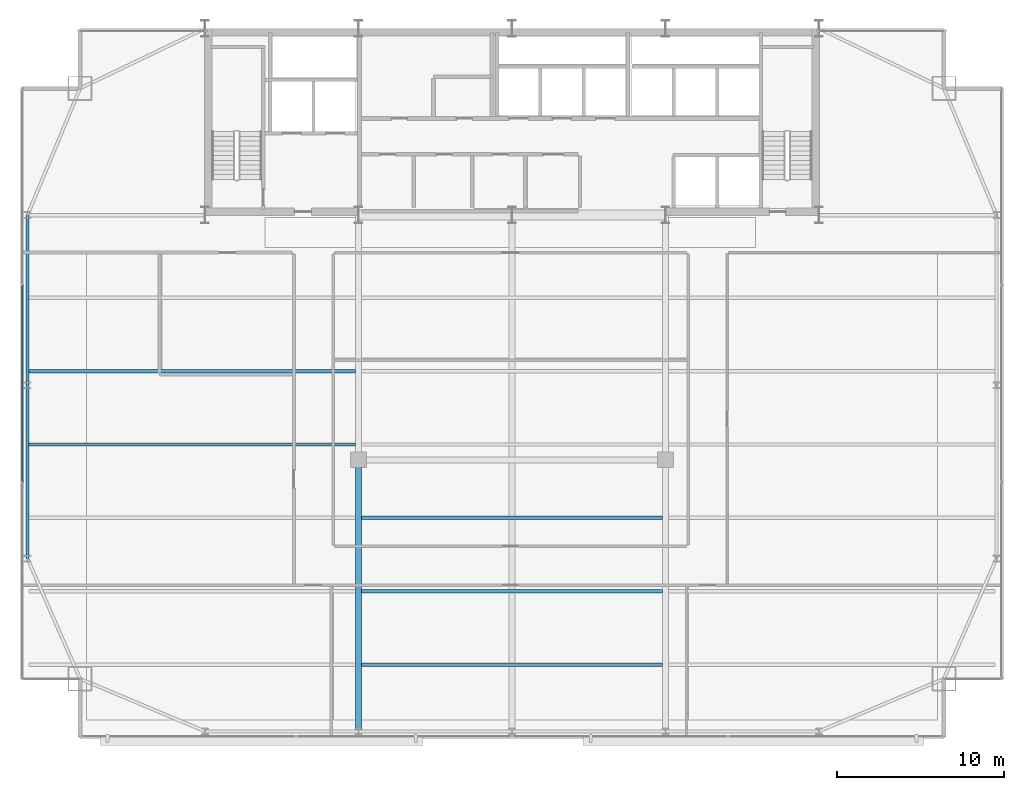
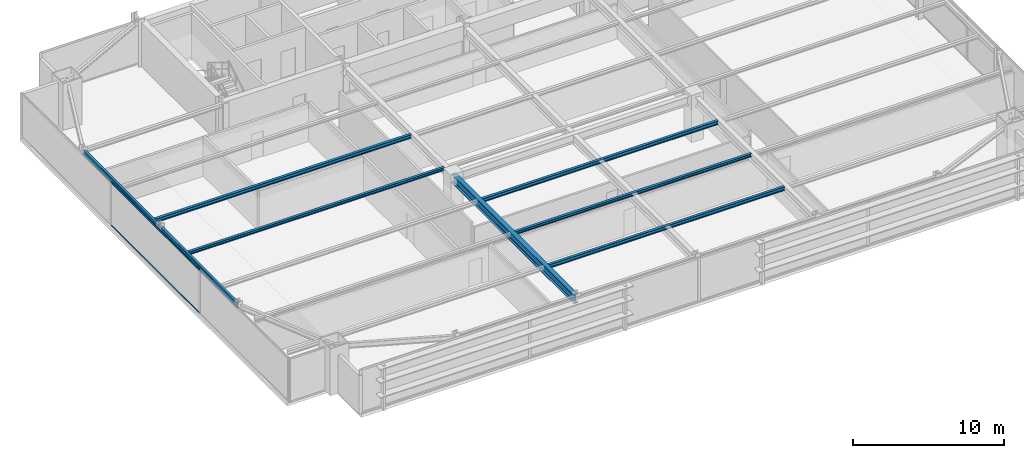
# One storey, part 9 of 30: 8 beams, 2 members, 1 element without a shape of its own.
"""IFC4 building model written with IfcOpenShell, lengths in metres."""

from ifc_helpers import new_model, si_unit, direction, frame, origin, origin_2d, place, context, subcontext, project, spatial, hollow_rectangle, i_section, extrude, source, transform, mapped, material, layer, layer_set, material_profile, profile_set, type_object, type_shapes, element, aggregate, save


model = new_model("IFC4")

# Units and contexts
model_context = context("Model", 3, precision=1e-05, world=origin(), true_north=direction((0.0, 1.0)))
body_context = subcontext(model_context, "Body", "Model", "MODEL_VIEW")
ifc_project = project(units=[si_unit("LENGTHUNIT", "METRE"), si_unit("AREAUNIT", "SQUARE_METRE"), si_unit("VOLUMEUNIT", "CUBIC_METRE"), si_unit("PLANEANGLEUNIT", "RADIAN"), si_unit("MASSUNIT", "GRAM", prefix="KILO")], contexts=[model_context])

# Site, building, storey
site_placement = place(None, origin())
site = spatial("IfcSite", under=ifc_project, at=site_placement, CompositionType="ELEMENT")
building_placement = place(site_placement, origin())
building = spatial("IfcBuilding", under=site, at=building_placement, Name="Varnel Quay Broadcast Tower", CompositionType="ELEMENT")
storey_placement = place(building_placement, frame((0.0, 0.0, 122.0)))
storey = spatial("IfcBuildingStorey", under=building, at=storey_placement, Name="L29", CompositionType="ELEMENT", Elevation=122.0)

# Beams
ifc_material_1 = material(Name="Structural Steel CSA G40.21 350W", Category="steel")
ifc_material_profile_1 = material_profile(ifc_material_1, i_section(OverallWidth=0.180908203125, OverallDepth=0.4169921875, WebThickness=0.010986328125, FlangeThickness=0.018310546875, FilletRadius=0.011962890625, at=origin_2d()), Name="W410X85")
ifc_profile_set_1 = profile_set([ifc_material_profile_1], Name="Structural Steel CSA G40.21 350W")
beam_type_1 = type_object("IfcBeamType", Name="Beam_W410X85", PredefinedType="SPANDREL", material=ifc_profile_set_1)
shared_shape_1 = source(origin(), body_context, "Body", "SweptSolid", [
    extrude(i_section(OverallWidth=0.180908203125, OverallDepth=0.4169921875, WebThickness=0.010986328125, FlangeThickness=0.018310546875, FilletRadius=0.011962890625, at=origin_2d()), origin(), (0.0, 0.0, 1.0), 10.35986328125),
])
beam_1_placement = place(storey_placement, frame((4.949951171875, 15.02001953125, 3.341552734375), z_axis=(0.0, 1.0, 0.0), x_axis=(-1.0, 0.0, 0.0)))
element("IfcBeam", 1, at=beam_1_placement, inside=storey, type_object=beam_type_1, Name="L29 West Spandrel TC-W1-TC-W2", PredefinedType="SPANDREL", context=body_context, shape_type="MappedRepresentation", body=[
    mapped(shared_shape_1, transform((0.0, 0.0, 0.0), x_axis=(1.0, 0.0, 0.0), y_axis=(0.0, 1.0, 0.0), z_axis=(0.0, 0.0, 1.0), scale=1.0)),
])
shared_shape_2 = source(origin(), body_context, "Body", "SweptSolid", [
    extrude(i_section(OverallWidth=0.180908203125, OverallDepth=0.4169921875, WebThickness=0.010986328125, FlangeThickness=0.018310546875, FilletRadius=0.011962890625, at=origin_2d()), origin(), (0.0, 0.0, 1.0), 10.16015625),
])
type_shapes(beam_type_1, [shared_shape_1, shared_shape_2])
beam_2_placement = place(storey_placement, frame((4.949951171875, 25.419921875, 3.341552734375), z_axis=(0.0, 1.0, 0.0), x_axis=(-1.0, 0.0, 0.0)))
element("IfcBeam", 2, at=beam_2_placement, inside=storey, type_object=beam_type_1, Name="L29 West Spandrel TC-W2-TC-W3", PredefinedType="SPANDREL", context=body_context, shape_type="MappedRepresentation", body=[
    mapped(shared_shape_2, transform((0.0, 0.0, 0.0), x_axis=(1.0, 0.0, 0.0), y_axis=(0.0, 1.0, 0.0), z_axis=(0.0, 0.0, 1.0), scale=1.0)),
])
ifc_material_profile_2 = material_profile(ifc_material_1, i_section(OverallWidth=0.35498046875, OverallDepth=0.695068359375, WebThickness=0.015380859375, FlangeThickness=0.02490234375, FilletRadius=0.01806640625, at=origin_2d()), Name="W690X217")
ifc_profile_set_2 = profile_set([ifc_material_profile_2], Name="Structural Steel CSA G40.21 350W")
beam_type_2 = type_object("IfcBeamType", Name="Girder_W690X217", PredefinedType="BEAM", material=ifc_profile_set_2)
shared_shape_3 = source(origin(), body_context, "Body", "SweptSolid", [
    extrude(i_section(OverallWidth=0.35498046875, OverallDepth=0.695068359375, WebThickness=0.015380859375, FlangeThickness=0.02490234375, FilletRadius=0.01806640625, at=origin_2d()), origin(), (0.0, 0.0, 1.0), 16.239990234375),
])
type_shapes(beam_type_2, [shared_shape_3])
beam_3_placement = place(storey_placement, frame((24.800048828125, 4.669921875, 3.202392578125), z_axis=(0.0, 1.0, 0.0), x_axis=(-1.0, 0.0, 0.0)))
element("IfcBeam", 3, at=beam_3_placement, inside=storey, type_object=beam_type_2, Name="L29 Primary Girder TC-S2-IC-01", PredefinedType="BEAM", context=body_context, shape_type="MappedRepresentation", body=[
    mapped(shared_shape_3, transform((0.0, 0.0, 0.0), x_axis=(1.0, 0.0, 0.0), y_axis=(0.0, 1.0, 0.0), z_axis=(0.0, 0.0, 1.0), scale=1.0)),
])
ifc_material_profile_3 = material_profile(ifc_material_1, i_section(OverallWidth=0.202880859375, OverallDepth=0.302978515625, WebThickness=0.007568359375, FlangeThickness=0.01318359375, FilletRadius=0.011962890625, at=origin_2d()), Name="W310X60")
ifc_profile_set_3 = profile_set([ifc_material_profile_3], Name="Structural Steel CSA G40.21 350W")
beam_type_3 = type_object("IfcBeamType", Name="Beam_W310X60", PredefinedType="JOIST", material=ifc_profile_set_3)
shared_shape_4 = source(origin(), body_context, "Body", "SweptSolid", [
    extrude(i_section(OverallWidth=0.202880859375, OverallDepth=0.302978515625, WebThickness=0.007568359375, FlangeThickness=0.01318359375, FilletRadius=0.011962890625, at=origin_2d()), origin(), (0.0, 0.0, 1.0), 19.592041015625),
])
beam_4_placement = place(storey_placement, frame((5.035400390625, 26.25, 3.3984375), z_axis=(1.0, 0.0, 0.0), x_axis=(0.0, 1.0, 0.0)))
element("IfcBeam", 4, at=beam_4_placement, inside=storey, type_object=beam_type_3, Name="L29 West Floor Joist 5", PredefinedType="JOIST", context=body_context, shape_type="MappedRepresentation", body=[
    mapped(shared_shape_4, transform((0.0, 0.0, 0.0), x_axis=(1.0, 0.0, 0.0), y_axis=(0.0, 1.0, 0.0), z_axis=(0.0, 0.0, 1.0), scale=1.0)),
])
shared_shape_5 = source(origin(), body_context, "Body", "SweptSolid", [
    extrude(i_section(OverallWidth=0.202880859375, OverallDepth=0.302978515625, WebThickness=0.007568359375, FlangeThickness=0.01318359375, FilletRadius=0.011962890625, at=origin_2d()), origin(), (0.0, 0.0, 1.0), 18.05517578125),
])
type_shapes(beam_type_3, [shared_shape_4, shared_shape_5])
for number, where, z_axis, x_axis, name in (
    (5, (24.972412109375, 8.64990234375, 3.3984375), (1.0, 0.0, 0.0), (0.0, 1.0, 0.0), "L29 Central Floor Joist 1"),
    (6, (24.972412109375, 17.449951171875, 3.3984375), (1.0, 0.0, 0.0), (0.0, 1.0, 0.0), "L29 Central Floor Joist 3"),
):
    element("IfcBeam", number, at=place(storey_placement, frame(where, z_axis=z_axis, x_axis=x_axis)), inside=storey, type_object=beam_type_3, Name=name, PredefinedType="JOIST", context=body_context, shape_type="MappedRepresentation", body=[
        mapped(shared_shape_5, transform((0.0, 0.0, 0.0), x_axis=(1.0, 0.0, 0.0), y_axis=(0.0, 1.0, 0.0), z_axis=(0.0, 0.0, 1.0), scale=1.0)),
    ])
ifc_material_profile_4 = material_profile(ifc_material_1, i_section(OverallWidth=0.201904296875, OverallDepth=0.2470703125, WebThickness=0.00732421875, FlangeThickness=0.010986328125, FilletRadius=0.010986328125, at=origin_2d()), Name="W250X49")
ifc_profile_set_4 = profile_set([ifc_material_profile_4], Name="Structural Steel CSA G40.21 350W")
beam_type_4 = type_object("IfcBeamType", Name="Beam_W250X49", PredefinedType="JOIST", material=ifc_profile_set_4)
shared_shape_6 = source(origin(), body_context, "Body", "SweptSolid", [
    extrude(i_section(OverallWidth=0.201904296875, OverallDepth=0.2470703125, WebThickness=0.00732421875, FlangeThickness=0.010986328125, FilletRadius=0.010986328125, at=origin_2d()), origin(), (0.0, 0.0, 1.0), 19.592041015625),
])
beam_5_placement = place(storey_placement, frame((5.035400390625, 21.85009765625, 3.426513671875), z_axis=(1.0, 0.0, 0.0), x_axis=(0.0, 1.0, 0.0)))
element("IfcBeam", 7, at=beam_5_placement, inside=storey, type_object=beam_type_4, Name="L29 West Floor Joist 4", PredefinedType="JOIST", context=body_context, shape_type="MappedRepresentation", body=[
    mapped(shared_shape_6, transform((0.0, 0.0, 0.0), x_axis=(1.0, 0.0, 0.0), y_axis=(0.0, 1.0, 0.0), z_axis=(0.0, 0.0, 1.0), scale=1.0)),
])
shared_shape_7 = source(origin(), body_context, "Body", "SweptSolid", [
    extrude(i_section(OverallWidth=0.201904296875, OverallDepth=0.2470703125, WebThickness=0.00732421875, FlangeThickness=0.010986328125, FilletRadius=0.010986328125, at=origin_2d()), origin(), (0.0, 0.0, 1.0), 18.05517578125),
])
type_shapes(beam_type_4, [shared_shape_6, shared_shape_7])
beam_6_placement = place(storey_placement, frame((24.972412109375, 13.050048828125, 3.426513671875), z_axis=(1.0, 0.0, 0.0), x_axis=(0.0, 1.0, 0.0)))
element("IfcBeam", 8, at=beam_6_placement, inside=storey, type_object=beam_type_4, Name="L29 Central Floor Joist 2", PredefinedType="JOIST", context=body_context, shape_type="MappedRepresentation", body=[
    mapped(shared_shape_7, transform((0.0, 0.0, 0.0), x_axis=(1.0, 0.0, 0.0), y_axis=(0.0, 1.0, 0.0), z_axis=(0.0, 0.0, 1.0), scale=1.0)),
])

# Curtain wall, members
ifc_material_2 = material(Name="Anodised Bronze Aluminium 6063-T6", Category="aluminium")
ifc_layer = layer(ifc_material_2, 0.18994140625, Name="Anodised Bronze Aluminium 6063-T6")
ifc_layer_set = layer_set([ifc_layer], Name="Anodised Bronze Aluminium 6063-T6")
curtain_wall_type = type_object("IfcCurtainWallType", Name="CW_LowerTower", PredefinedType="NOTDEFINED", material=ifc_layer_set)
curtain_wall_placement = place(storey_placement, origin())
curtain_wall = element("IfcCurtainWall", 9, at=curtain_wall_placement, inside=storey, type_object=curtain_wall_type, Name="L29 West Unitised Curtain Wall", PredefinedType="NOTDEFINED")
ifc_material_profile_5 = material_profile(ifc_material_2, hollow_rectangle(XDim=0.06005859375, YDim=0.14501953125, WallThickness=0.00341796875, at=origin_2d()), Name="ALU60X145X3.5")
ifc_profile_set_5 = profile_set([ifc_material_profile_5], Name="Anodised Bronze Aluminium 6063-T6")
member_type = type_object("IfcMemberType", Name="Tran_CWS-02", PredefinedType="USERDEFINED", material=ifc_profile_set_5)
shared_shape_8 = source(origin(), body_context, "Body", "SweptSolid", [
    extrude(hollow_rectangle(XDim=0.06005859375, YDim=0.14501953125, WallThickness=0.00341796875, at=origin_2d()), origin(), (0.0, 0.0, 1.0), 11.72998046875),
])
type_shapes(member_type, [shared_shape_8])
member_1_placement = place(storey_placement, frame((4.64990234375, 19.635009765625, 0.030029296875), z_axis=(0.0, 1.0, 0.0), x_axis=(-1.0, 0.0, 0.0)))
member_1 = element("IfcMember", 10, at=member_1_placement, type_object=member_type, Name="CWS-02 transom 2.1", ObjectType="TRANSOM", PredefinedType="USERDEFINED", context=body_context, shape_type="MappedRepresentation", body=[
    mapped(shared_shape_8, transform((0.0, 0.0, 0.0), x_axis=(1.0, 0.0, 0.0), y_axis=(0.0, 1.0, 0.0), z_axis=(0.0, 0.0, 1.0), scale=1.0)),
])
member_2_placement = place(storey_placement, frame((4.64990234375, 19.635009765625, 3.52001953125), z_axis=(0.0, 1.0, 0.0), x_axis=(-1.0, 0.0, 0.0)))
member_2 = element("IfcMember", 11, at=member_2_placement, type_object=member_type, Name="CWS-02 transom 2.2", ObjectType="TRANSOM", PredefinedType="USERDEFINED", context=body_context, shape_type="MappedRepresentation", body=[
    mapped(shared_shape_8, transform((0.0, 0.0, 0.0), x_axis=(1.0, 0.0, 0.0), y_axis=(0.0, 1.0, 0.0), z_axis=(0.0, 0.0, 1.0), scale=1.0)),
])
aggregate(curtain_wall, [member_1, member_2])

save(model, "model.ifc")
